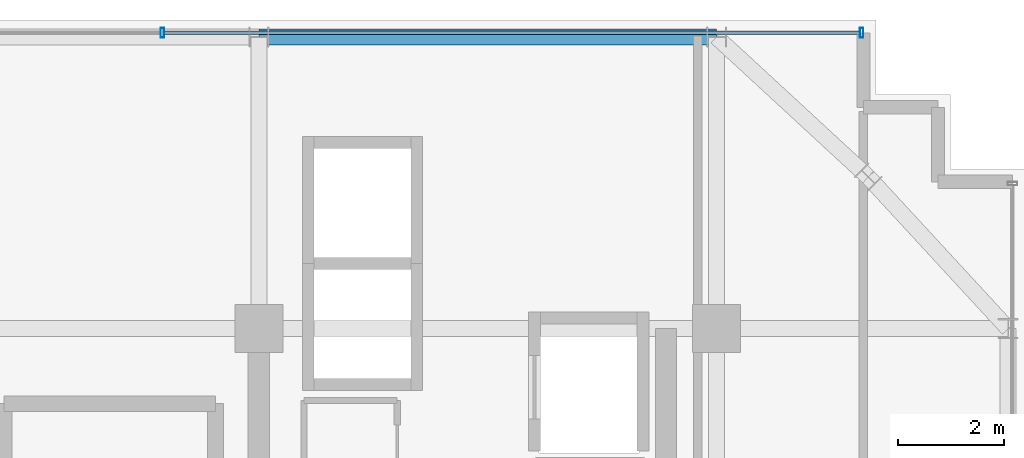
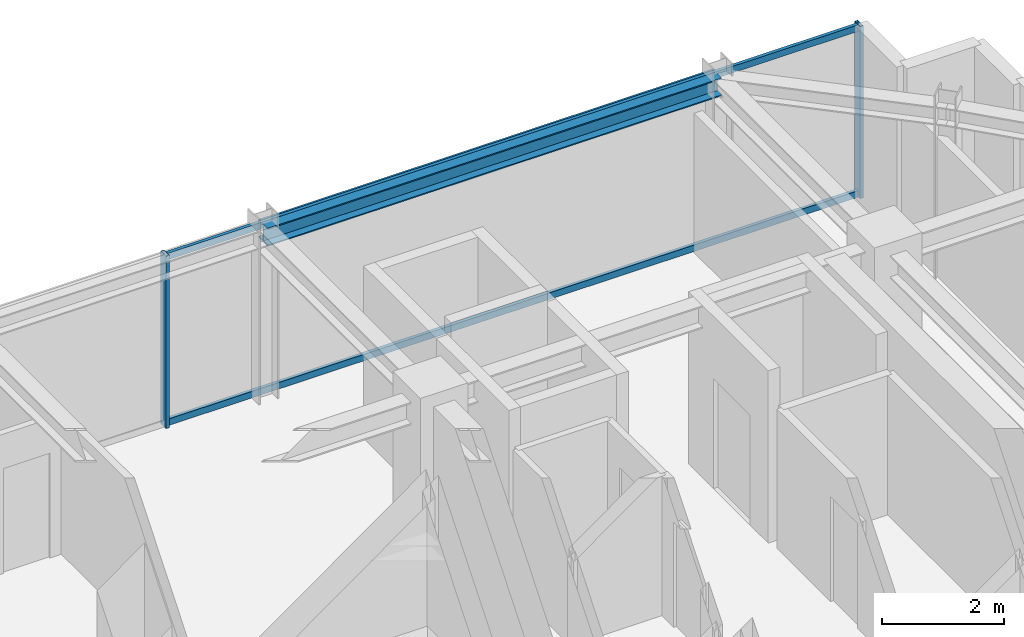
# One storey, part 23 of 31: 4 members, 1 beam, 1 element without a shape of its own.
"""IFC4 building model written with IfcOpenShell, lengths in metres."""

from ifc_helpers import new_model, si_unit, direction, frame, origin, origin_2d, place, context, subcontext, project, spatial, hollow_rectangle, i_section, extrude, source, transform, mapped, material, material_profile, profile_set, type_object, element, aggregate, save


model = new_model("IFC4")

# Units and contexts
model_context = context("Model", 3, precision=1e-05, world=origin(), true_north=direction((0.0, 1.0)))
body_context = subcontext(model_context, "Body", "Model", "MODEL_VIEW")
ifc_project = project(units=[si_unit("LENGTHUNIT", "METRE"), si_unit("AREAUNIT", "SQUARE_METRE"), si_unit("VOLUMEUNIT", "CUBIC_METRE"), si_unit("PLANEANGLEUNIT", "RADIAN"), si_unit("MASSUNIT", "GRAM", prefix="KILO")], contexts=[model_context])

# Site, building, storey
site_placement = place(None, origin())
site = spatial("IfcSite", under=ifc_project, at=site_placement, CompositionType="ELEMENT")
building_placement = place(site_placement, origin())
building = spatial("IfcBuilding", under=site, at=building_placement, Name="Nahalor Promenade Grand Hotel", CompositionType="ELEMENT")
storey_placement = place(building_placement, frame((0.0, 0.0, 277.550048828125)))
storey = spatial("IfcBuildingStorey", under=building, at=storey_placement, Name="L71", CompositionType="ELEMENT", Elevation=277.550048828125)

# Beam
ifc_material_1 = material(Name="Steel S355JR", Category="steel")
ifc_material_profile_1 = material_profile(ifc_material_1, i_section(OverallWidth=0.3, OverallDepth=0.36, WebThickness=0.0125, FlangeThickness=0.0225, at=origin_2d()), Name="HEB 360")
ifc_profile_set_1 = profile_set([ifc_material_profile_1], Name="Steel S355JR")
beam_type = type_object("IfcBeamType", Name="Beam-Spandrel-HEB360", PredefinedType="SPANDREL", material=ifc_profile_set_1)
shared_shape_1 = source(origin(), body_context, "Body", "SweptSolid", [
    extrude(i_section(OverallWidth=0.3, OverallDepth=0.36, WebThickness=0.0125, FlangeThickness=0.0225, at=origin_2d()), origin(), (0.0, 0.0, 1.0), 8.60009765625),
])
beam_placement = place(storey_placement, frame((8.39990234375, 22.47998046875, 3.27001953125), z_axis=(1.0, 0.0, 0.0), x_axis=(0.0, 1.0, 0.0)))
element("IfcBeam", 1, at=beam_placement, inside=storey, type_object=beam_type, Name="BM-L71-SP-N-4", PredefinedType="SPANDREL", context=body_context, shape_type="MappedRepresentation", body=[
    mapped(shared_shape_1, transform((0.0, 0.0, 0.0), scale=1.0)),
])

# Curtain wall, members
ifc_material_2 = material(Name="Anodised Bronze Aluminium EN AW-6063 T6", Category="aluminium")
curtain_wall_type = type_object("IfcCurtainWallType", Name="CW2 Typical Hotel Flush Bronze Unitised Curtain Wall", PredefinedType="USERDEFINED", material=ifc_material_2)
curtain_wall_placement = place(storey_placement, origin())
curtain_wall = element("IfcCurtainWall", 2, at=curtain_wall_placement, inside=storey, type_object=curtain_wall_type, Name="L71 Curtain Wall CW-L71-N-1", ObjectType="UNITISED_CURTAIN_WALL", PredefinedType="USERDEFINED")
ifc_material_profile_2 = material_profile(ifc_material_2, hollow_rectangle(XDim=0.065, YDim=0.13, WallThickness=0.004, at=origin_2d()), Name="CWT 65x130x4")
ifc_profile_set_2 = profile_set([ifc_material_profile_2], Name="Anodised Bronze Aluminium EN AW-6063 T6")
member_type_1 = type_object("IfcMemberType", Name="CWT2 Typical Bronze Transom 65x130", PredefinedType="USERDEFINED", material=ifc_profile_set_2)
shared_shape_2 = source(origin(), body_context, "Body", "SweptSolid", [
    extrude(hollow_rectangle(XDim=0.065, YDim=0.13, WallThickness=0.004, at=origin_2d()), origin(), (0.0, 0.0, 1.0), 13.075927734375),
])
member_1_placement = place(storey_placement, frame((6.619140625, 22.56005859375, 0.06494140625), z_axis=(1.0, 0.0, 0.0), x_axis=(0.0, 1.0, 0.0)))
member_1 = element("IfcMember", 3, at=member_1_placement, type_object=member_type_1, Name="CW-L71-N-1 Transom 2-0", ObjectType="TRANSOM", PredefinedType="USERDEFINED", context=body_context, shape_type="MappedRepresentation", body=[
    mapped(shared_shape_2, transform((0.0, 0.0, 0.0), scale=1.0)),
])
member_2_placement = place(storey_placement, frame((6.619140625, 22.56005859375, 3.385009765625), z_axis=(1.0, 0.0, 0.0), x_axis=(0.0, 1.0, 0.0)))
member_2 = element("IfcMember", 4, at=member_2_placement, type_object=member_type_1, Name="CW-L71-N-1 Transom 2-1", ObjectType="TRANSOM", PredefinedType="USERDEFINED", context=body_context, shape_type="MappedRepresentation", body=[
    mapped(shared_shape_2, transform((0.0, 0.0, 0.0), scale=1.0)),
])
ifc_material_profile_3 = material_profile(ifc_material_2, hollow_rectangle(XDim=0.065, YDim=0.18, WallThickness=0.004, at=origin_2d()), Name="CWM 65x180x4")
ifc_profile_set_3 = profile_set([ifc_material_profile_3], Name="Anodised Bronze Aluminium EN AW-6063 T6")
member_type_2 = type_object("IfcMemberType", Name="CWM2 Typical Bronze Mullion 65x180", PredefinedType="MULLION", material=ifc_profile_set_3)
shared_shape_3 = source(origin(), body_context, "Body", "SweptSolid", [
    extrude(hollow_rectangle(XDim=0.065, YDim=0.18, WallThickness=0.004, at=origin_2d()), origin(), (0.0, 0.0, 1.0), 3.449951171875),
])
member_3_placement = place(storey_placement, frame((6.586669921875, 22.56005859375, 0.0), z_axis=(0.0, 0.0, 1.0), x_axis=(1.0, 0.0, 0.0)))
member_3 = element("IfcMember", 5, at=member_3_placement, type_object=member_type_2, Name="CW-L71-N-1 Mullion 2", PredefinedType="MULLION", context=body_context, shape_type="MappedRepresentation", body=[
    mapped(shared_shape_3, transform((0.0, 0.0, 0.0), scale=1.0)),
])
member_4_placement = place(storey_placement, frame((19.7275390625, 22.56005859375, 0.0), z_axis=(0.0, 0.0, 1.0), x_axis=(1.0, 0.0, 0.0)))
member_4 = element("IfcMember", 6, at=member_4_placement, type_object=member_type_2, Name="CW-L71-N-1 Mullion 3", PredefinedType="MULLION", context=body_context, shape_type="MappedRepresentation", body=[
    mapped(shared_shape_3, transform((0.0, 0.0, 0.0), scale=1.0)),
])
aggregate(curtain_wall, [member_3, member_4, member_1, member_2])

save(model, "model.ifc")
